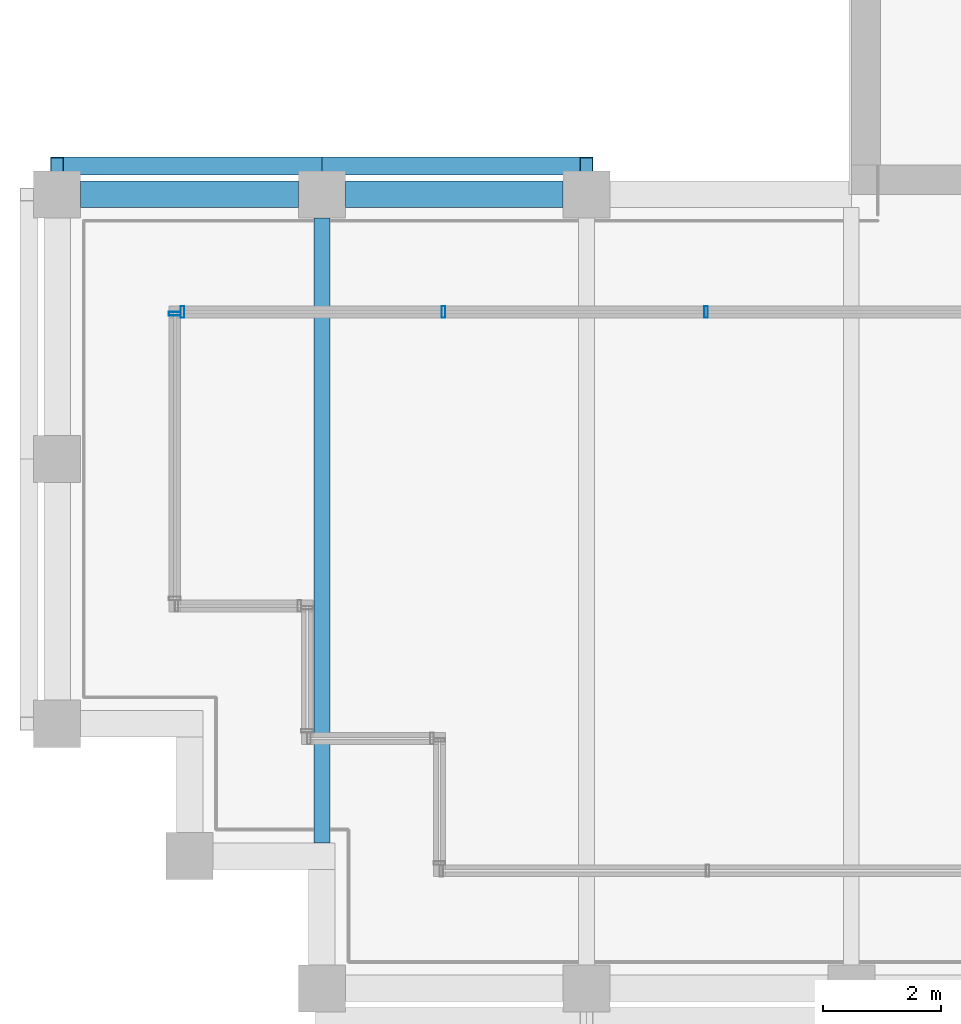
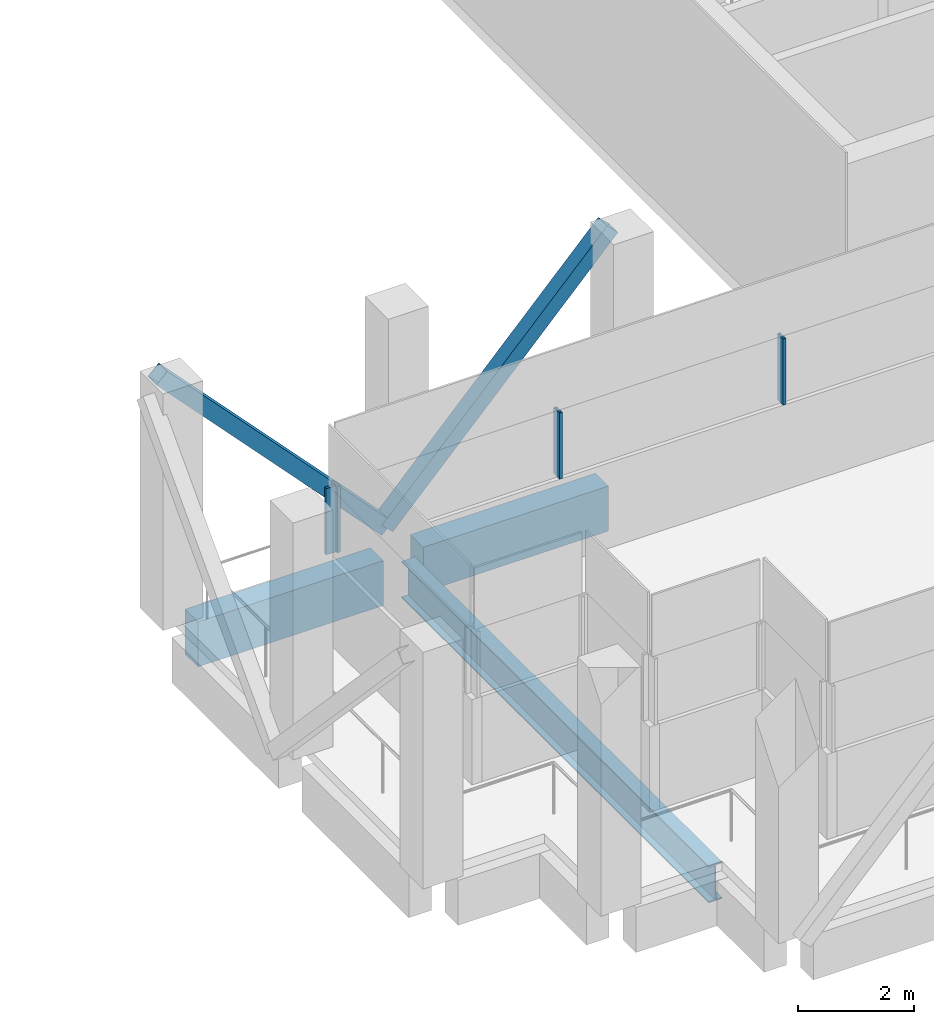
# One storey, part 4 of 21: 6 members, 3 beams, 2 elements without a shape of their own.
"""IFC4 building model written with IfcOpenShell, lengths in metres."""

from ifc_helpers import new_model, si_unit, direction, frame, origin, origin_2d, place, context, subcontext, project, spatial, rectangle, hollow_rectangle, i_section, extrude, material, material_profile, profile_set, type_object, element, aggregate, save


model = new_model("IFC4")

# Units and contexts
model_context = context("Model", 3, precision=1e-05, world=origin(), true_north=direction((0.0, 1.0)))
body_context = subcontext(model_context, "Body", "Model", "MODEL_VIEW")
ifc_project = project(units=[si_unit("LENGTHUNIT", "METRE"), si_unit("AREAUNIT", "SQUARE_METRE"), si_unit("VOLUMEUNIT", "CUBIC_METRE"), si_unit("PLANEANGLEUNIT", "RADIAN"), si_unit("MASSUNIT", "GRAM", prefix="KILO")], contexts=[model_context])

# Site, building, storey
site_placement = place(None, origin())
site = spatial("IfcSite", under=ifc_project, at=site_placement, CompositionType="ELEMENT")
building_placement = place(site_placement, origin())
building = spatial("IfcBuilding", under=site, at=building_placement, Name="Altepetl Exchange Towers", CompositionType="ELEMENT")
storey_placement = place(building_placement, frame((0.0, 0.0, 246.0)))
storey = spatial("IfcBuildingStorey", under=building, at=storey_placement, Name="L63 Refuge", CompositionType="ELEMENT", Elevation=246.0)

# Members
ifc_material_1 = material(Name="Steel S355", Category="steel")
ifc_material_profile_1 = material_profile(ifc_material_1, hollow_rectangle(XDim=0.304931640625, YDim=0.304931640625, WallThickness=0.01171875, at=origin_2d()), Name="HSS305X305X12.7")
ifc_profile_set_1 = profile_set([ifc_material_profile_1], Name="Steel S355")
member_type_1 = type_object("IfcMemberType", Name="Belt diagonal HSS305X305X12.7", PredefinedType="BRACE", material=ifc_profile_set_1)
for number, where, z_axis, x_axis, name in (
    (1, (36.0, 40.97998046875, 4.75), (-0.687744647911, 0.0, -0.725952683906), (0.0, -1.0, 0.0), "brc:A:L63:021"),
    (2, (31.5, 40.97998046875, 0.0), (-0.687744647911, 0.0, 0.725952683906), (0.0, -1.0, 0.0), "brc:A:L63:022"),
):
    element("IfcMember", number, at=place(storey_placement, frame(where, z_axis=z_axis, x_axis=x_axis)), inside=storey, type_object=member_type_1, Name=name, PredefinedType="BRACE", context=body_context, shape_type="SweptSolid", body=[
        extrude(hollow_rectangle(XDim=0.304931640625, YDim=0.304931640625, WallThickness=0.01171875, at=origin_2d()), origin(), (0.0, 0.0, 1.0), 6.543212890625),
    ])

# Beam
ifc_material_profile_2 = material_profile(ifc_material_1, i_section(OverallWidth=0.26806640625, OverallDepth=0.77392578125, WebThickness=0.015380859375, FlangeThickness=0.025390625, at=origin_2d()), Name="W30X132")
ifc_profile_set_2 = profile_set([ifc_material_profile_2], Name="Steel S355")
beam_type_1 = type_object("IfcBeamType", Name="Floor beam W30X132", PredefinedType="BEAM", material=ifc_profile_set_2)
beam_placement = place(storey_placement, frame((31.5, 29.47509765625, -0.5869140625), z_axis=(0.0, 1.0, 0.0), x_axis=(-1.0, 0.0, 0.0)))
element("IfcBeam", 3, at=beam_placement, inside=storey, type_object=beam_type_1, Name="bm:A:L63:012", PredefinedType="BEAM", context=body_context, shape_type="SweptSolid", body=[
    extrude(i_section(OverallWidth=0.26806640625, OverallDepth=0.77392578125, WebThickness=0.015380859375, FlangeThickness=0.025390625, at=origin_2d()), origin(), (0.0, 0.0, 1.0), 10.625),
])

# Curtain wall, members
ifc_material_2 = material(Name="Aluminium 6063-T6 glazing", Category="aluminium")
curtain_wall_type = type_object("IfcCurtainWallType", Name="Refuge slit glazing system", PredefinedType="NOTDEFINED", material=ifc_material_2)
curtain_wall_1_placement = place(storey_placement, origin())
curtain_wall_1 = element("IfcCurtainWall", 4, at=curtain_wall_1_placement, inside=storey, type_object=curtain_wall_type, Name="CW3 run", PredefinedType="NOTDEFINED")
ifc_material_3 = material(Name="Aluminium 6063-T6", Category="aluminium")
ifc_material_profile_3 = material_profile(ifc_material_3, hollow_rectangle(XDim=0.06005859375, YDim=0.199951171875, WallThickness=0.0029296875, at=origin_2d()), Name="Mullion 60x200 aluminium")
ifc_profile_set_3 = profile_set([ifc_material_profile_3], Name="Aluminium 6063-T6")
member_type_2 = type_object("IfcMemberType", Name="Mullion 60x200 aluminium", PredefinedType="MULLION", material=ifc_profile_set_3)
member_1_placement = place(storey_placement, frame((38.033447265625, 38.5, 1.800048828125), z_axis=(0.0, 0.0, 1.0), x_axis=(-1.0, 0.0, 0.0)))
member_1 = element("IfcMember", 5, at=member_1_placement, type_object=member_type_2, Name="MU2 mullion", PredefinedType="MULLION", context=body_context, shape_type="SweptSolid", body=[
    extrude(hollow_rectangle(XDim=0.06005859375, YDim=0.199951171875, WallThickness=0.0029296875, at=origin_2d()), origin(), (0.0, 0.0, 1.0), 1.39990234375),
])
member_2_placement = place(storey_placement, frame((33.566650390625, 38.5, 1.800048828125), z_axis=(0.0, 0.0, 1.0), x_axis=(-1.0, 0.0, 0.0)))
member_2 = element("IfcMember", 6, at=member_2_placement, type_object=member_type_2, Name="MU2 mullion", PredefinedType="MULLION", context=body_context, shape_type="SweptSolid", body=[
    extrude(hollow_rectangle(XDim=0.06005859375, YDim=0.199951171875, WallThickness=0.0029296875, at=origin_2d()), origin(), (0.0, 0.0, 1.0), 1.39990234375),
])
member_3_placement = place(storey_placement, frame((29.1298828125, 38.5, 1.800048828125), z_axis=(0.0, 0.0, 1.0), x_axis=(-1.0, 0.0, 0.0)))
member_3 = element("IfcMember", 7, at=member_3_placement, type_object=member_type_2, Name="MU2 mullion", PredefinedType="MULLION", context=body_context, shape_type="SweptSolid", body=[
    extrude(hollow_rectangle(XDim=0.06005859375, YDim=0.199951171875, WallThickness=0.0029296875, at=origin_2d()), origin(), (0.0, 0.0, 1.0), 1.39990234375),
])
aggregate(curtain_wall_1, [member_1, member_2, member_3])

# Curtain wall, member
curtain_wall_2_placement = place(storey_placement, origin())
curtain_wall_2 = element("IfcCurtainWall", 8, at=curtain_wall_2_placement, inside=storey, type_object=curtain_wall_type, Name="CW3 run", PredefinedType="NOTDEFINED")
member_4_placement = place(storey_placement, frame((29.0, 38.469970703125, 1.800048828125), z_axis=(0.0, 0.0, 1.0), x_axis=(0.0, -1.0, 0.0)))
member_4 = element("IfcMember", 9, at=member_4_placement, type_object=member_type_2, Name="MU2 mullion", PredefinedType="MULLION", context=body_context, shape_type="SweptSolid", body=[
    extrude(hollow_rectangle(XDim=0.06005859375, YDim=0.199951171875, WallThickness=0.0029296875, at=origin_2d()), origin(), (0.0, 0.0, 1.0), 1.39990234375),
])
aggregate(curtain_wall_2, [member_4])

# Beams
ifc_material_4 = material(Name="Concrete C50/60 precast with tezontle facing", Category="concrete")
ifc_material_profile_4 = material_profile(ifc_material_4, rectangle(XDim=0.449951171875, YDim=0.949951171875, at=origin_2d()), Name="450 x 950")
ifc_profile_set_4 = profile_set([ifc_material_profile_4], Name="Concrete C50/60 precast with tezontle facing")
beam_type_2 = type_object("IfcBeamType", Name="Spandrel beam 450x950 tezontle", PredefinedType="SPANDREL", material=ifc_profile_set_4)
for number, where, z_axis, x_axis, name in (
    (10, (35.60009765625, 40.5, -0.675048828125), (-1.0, 0.0, 0.0), (0.0, -1.0, 0.0), "sp:A:L63:034"),
    (11, (31.10009765625, 40.5, -0.675048828125), (-1.0, 0.0, 0.0), (0.0, -1.0, 0.0), "sp:A:L63:035"),
):
    element("IfcBeam", number, at=place(storey_placement, frame(where, z_axis=z_axis, x_axis=x_axis)), inside=storey, type_object=beam_type_2, Name=name, PredefinedType="SPANDREL", context=body_context, shape_type="SweptSolid", body=[
        extrude(rectangle(XDim=0.449951171875, YDim=0.949951171875, at=origin_2d()), origin(), (0.0, 0.0, 1.0), 3.7001953125),
    ])

save(model, "model.ifc")
